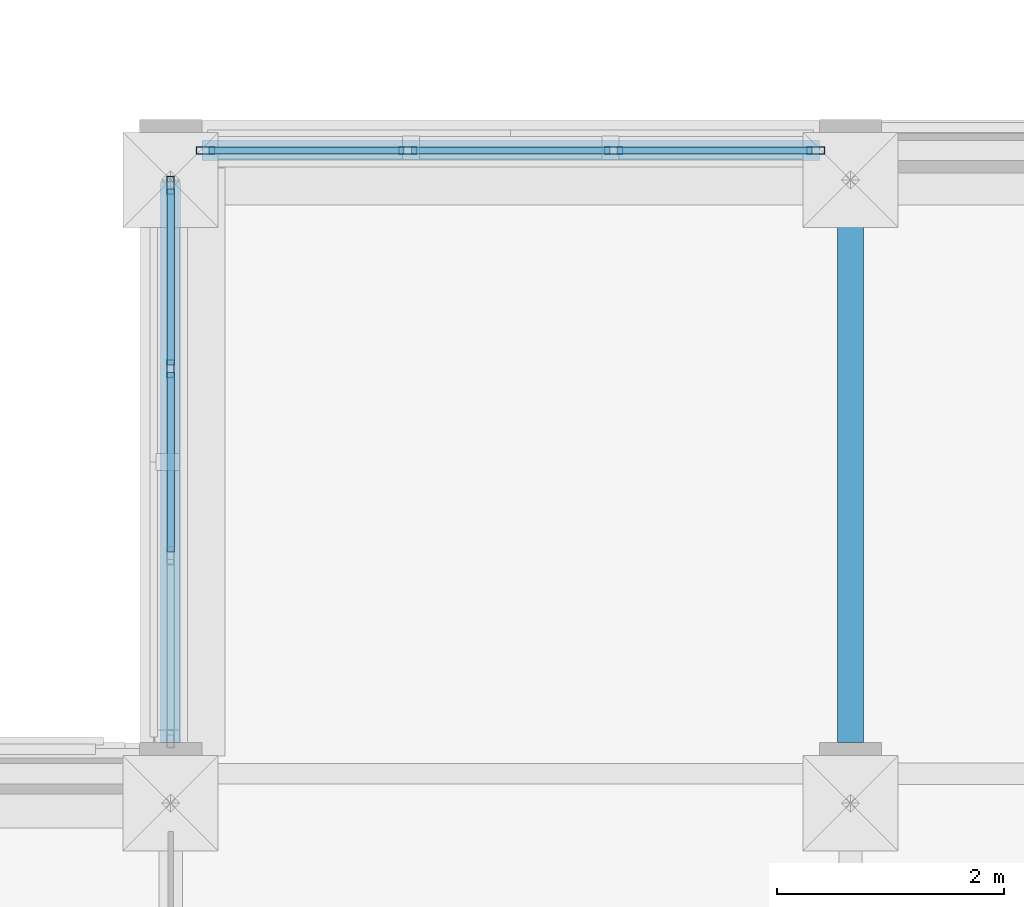
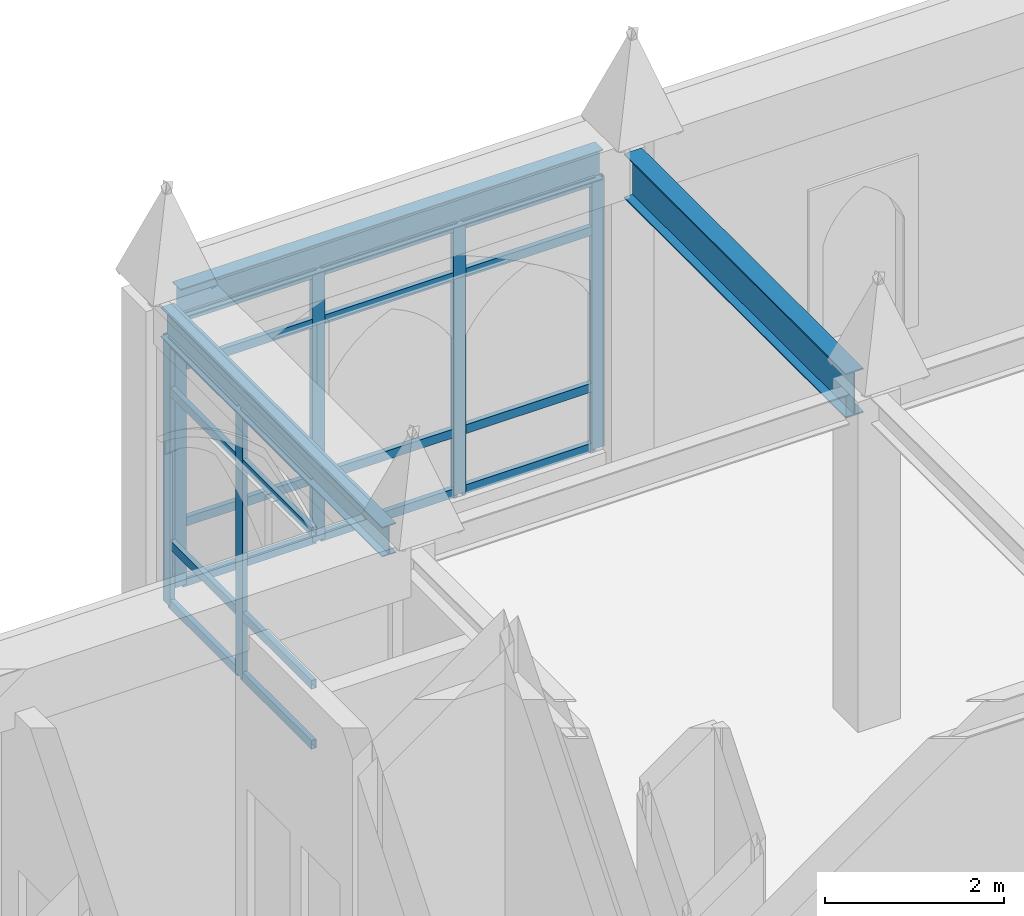
# One storey, part 51 of 108: 26 members, 3 beams, 2 elements without a shape of their own.
"""IFC4 building model written with IfcOpenShell, lengths in metres."""

from ifc_helpers import new_model, si_unit, direction, frame, origin, origin_2d, place, context, subcontext, project, spatial, hollow_rectangle, i_section, extrude, material, layer, layer_set, material_profile, profile_set, type_object, element, aggregate, save


model = new_model("IFC4")

# Units and contexts
model_context = context("Model", 3, precision=1e-05, world=origin(), true_north=direction((0.0, 1.0)))
body_context = subcontext(model_context, "Body", "Model", "MODEL_VIEW")
ifc_project = project(units=[si_unit("LENGTHUNIT", "METRE"), si_unit("AREAUNIT", "SQUARE_METRE"), si_unit("VOLUMEUNIT", "CUBIC_METRE"), si_unit("PLANEANGLEUNIT", "RADIAN"), si_unit("MASSUNIT", "GRAM", prefix="KILO")], contexts=[model_context])

# Site, building, storey
site_placement = place(None, origin())
site = spatial("IfcSite", under=ifc_project, at=site_placement, CompositionType="ELEMENT")
building_placement = place(site_placement, origin())
building = spatial("IfcBuilding", under=site, at=building_placement, Name="Cumevento Cable Car Station", CompositionType="ELEMENT")
storey_placement = place(building_placement, frame((0.0, 0.0, 13.5)))
storey = spatial("IfcBuildingStorey", under=building, at=storey_placement, Name="L04", CompositionType="ELEMENT", Elevation=13.5)

# Curtain wall, members
ifc_material_1 = material(Name="Anodised Bronze Aluminium AW-6063-T6", Category="aluminium")
ifc_layer_1 = layer(ifc_material_1, 0.238037109375)
ifc_layer_set_1 = layer_set([ifc_layer_1], Name="Anodised Bronze Aluminium AW-6063-T6")
curtain_wall_type_1 = type_object("IfcCurtainWallType", Name="Lancet Curtain Wall CW-14 1570", PredefinedType="NOTDEFINED", material=ifc_layer_set_1)
curtain_wall_1_placement = place(storey_placement, origin())
curtain_wall_1 = element("IfcCurtainWall", 1, at=curtain_wall_1_placement, inside=storey, type_object=curtain_wall_type_1, Name="Lancet Curtain Wall CW-14 L04 #189", PredefinedType="NOTDEFINED")
ifc_material_2 = material(Name="Anodised Bronze Aluminium AW-6063-T6", Category="aluminium")
ifc_material_profile_1 = material_profile(ifc_material_2, hollow_rectangle(XDim=0.06494140625, YDim=0.159912109375, WallThickness=0.00390625, at=origin_2d()), Name="ALUM65x160x4")
ifc_profile_set_1 = profile_set([ifc_material_profile_1], Name="Anodised Bronze Aluminium AW-6063-T6")
member_type_1 = type_object("IfcMemberType", Name="Curtain Mullion CWM-01 ALUM65x160x4", PredefinedType="MULLION", material=ifc_profile_set_1)
member_1_placement = place(storey_placement, frame((130.3076171875, 56.5, 0.409912109375), z_axis=(0.0, 0.0, 1.0), x_axis=(0.0, 1.0, 0.0)))
member_1 = element("IfcMember", 2, at=member_1_placement, type_object=member_type_1, Name="CW-14 mullion 1", PredefinedType="MULLION", context=body_context, shape_type="SweptSolid", body=[
    extrude(hollow_rectangle(XDim=0.06494140625, YDim=0.159912109375, WallThickness=0.00390625, at=origin_2d()), origin(), (0.0, 0.0, 1.0), 3.68310546875),
])
member_2_placement = place(storey_placement, frame((132.091552734375, 56.5, 0.409912109375), z_axis=(0.0, 0.0, 1.0), x_axis=(0.0, 1.0, 0.0)))
member_2 = element("IfcMember", 3, at=member_2_placement, type_object=member_type_1, Name="CW-14 mullion 2", PredefinedType="MULLION", context=body_context, shape_type="SweptSolid", body=[
    extrude(hollow_rectangle(XDim=0.06494140625, YDim=0.159912109375, WallThickness=0.00390625, at=origin_2d()), origin(), (0.0, 0.0, 1.0), 3.68310546875),
])
member_3_placement = place(storey_placement, frame((133.908447265625, 56.5, 0.409912109375), z_axis=(0.0, 0.0, 1.0), x_axis=(0.0, 1.0, 0.0)))
member_3 = element("IfcMember", 4, at=member_3_placement, type_object=member_type_1, Name="CW-14 mullion 3", PredefinedType="MULLION", context=body_context, shape_type="SweptSolid", body=[
    extrude(hollow_rectangle(XDim=0.06494140625, YDim=0.159912109375, WallThickness=0.00390625, at=origin_2d()), origin(), (0.0, 0.0, 1.0), 3.68310546875),
])
member_4_placement = place(storey_placement, frame((135.6923828125, 56.5, 0.409912109375), z_axis=(0.0, 0.0, 1.0), x_axis=(0.0, 1.0, 0.0)))
member_4 = element("IfcMember", 5, at=member_4_placement, type_object=member_type_1, Name="CW-14 mullion 4", PredefinedType="MULLION", context=body_context, shape_type="SweptSolid", body=[
    extrude(hollow_rectangle(XDim=0.06494140625, YDim=0.159912109375, WallThickness=0.00390625, at=origin_2d()), origin(), (0.0, 0.0, 1.0), 3.68310546875),
])

ifc_material_3 = material(Name="Anodised Bronze Aluminium AW-6063-T6", Category="aluminium")
ifc_layer_2 = layer(ifc_material_3, 0.243896484375)
ifc_layer_set_2 = layer_set([ifc_layer_2], Name="Anodised Bronze Aluminium AW-6063-T6")
curtain_wall_type_2 = type_object("IfcCurtainWallType", Name="Lancet Curtain Wall CW-15 1610", PredefinedType="NOTDEFINED", material=ifc_layer_set_2)
curtain_wall_2_placement = place(storey_placement, origin())
curtain_wall_2 = element("IfcCurtainWall", 6, at=curtain_wall_2_placement, inside=storey, type_object=curtain_wall_type_2, Name="Lancet Curtain Wall CW-15 L04 #190", PredefinedType="NOTDEFINED")
member_5_placement = place(storey_placement, frame((130.0, 54.574951171875, 0.4599609375), z_axis=(0.0, 0.0, 1.0), x_axis=(-1.0, 0.0, 0.0)))
member_5 = element("IfcMember", 7, at=member_5_placement, type_object=member_type_1, Name="CW-15 mullion 3", PredefinedType="MULLION", context=body_context, shape_type="SweptSolid", body=[
    extrude(hollow_rectangle(XDim=0.06494140625, YDim=0.159912109375, WallThickness=0.00390625, at=origin_2d()), origin(), (0.0, 0.0, 1.0), 3.633056640625),
])
member_6_placement = place(storey_placement, frame((130.0, 56.1923828125, 0.4599609375), z_axis=(0.0, 0.0, 1.0), x_axis=(-1.0, 0.0, 0.0)))
member_6 = element("IfcMember", 8, at=member_6_placement, type_object=member_type_1, Name="CW-15 mullion 4", PredefinedType="MULLION", context=body_context, shape_type="SweptSolid", body=[
    extrude(hollow_rectangle(XDim=0.06494140625, YDim=0.159912109375, WallThickness=0.00390625, at=origin_2d()), origin(), (0.0, 0.0, 1.0), 3.633056640625),
])

# Member
ifc_material_4 = material(Name="Anodised Bronze Aluminium AW-6063-T6", Category="aluminium")
ifc_material_profile_2 = material_profile(ifc_material_4, hollow_rectangle(XDim=0.06494140625, YDim=0.1201171875, WallThickness=0.00390625, at=origin_2d()), Name="ALUT65x120x4")
ifc_profile_set_2 = profile_set([ifc_material_profile_2], Name="Anodised Bronze Aluminium AW-6063-T6")
member_type_2 = type_object("IfcMemberType", Name="Curtain Transom CWT-01 ALUT65x120x4", PredefinedType="USERDEFINED", material=ifc_profile_set_2)
member_7_placement = place(storey_placement, frame((130.340087890625, 56.5, 0.4423828125), z_axis=(1.0, 0.0, 0.0), x_axis=(0.0, 1.0, 0.0)))
member_7 = element("IfcMember", 9, at=member_7_placement, type_object=member_type_2, Name="CW-14 transom 1.1", ObjectType="TRANSOM", PredefinedType="USERDEFINED", context=body_context, shape_type="SweptSolid", body=[
    extrude(hollow_rectangle(XDim=0.06494140625, YDim=0.1201171875, WallThickness=0.00390625, at=origin_2d()), origin(), (0.0, 0.0, 1.0), 1.718994140625),
])

member_8_placement = place(storey_placement, frame((130.340087890625, 56.5, 1.260009765625), z_axis=(1.0, 0.0, 0.0), x_axis=(0.0, 1.0, 0.0)))
member_8 = element("IfcMember", 10, at=member_8_placement, type_object=member_type_2, Name="CW-14 transom 1.2", ObjectType="TRANSOM", PredefinedType="USERDEFINED", context=body_context, shape_type="SweptSolid", body=[
    extrude(hollow_rectangle(XDim=0.06494140625, YDim=0.1201171875, WallThickness=0.00390625, at=origin_2d()), origin(), (0.0, 0.0, 1.0), 1.718994140625),
])

member_9_placement = place(storey_placement, frame((130.340087890625, 56.5, 3.39306640625), z_axis=(1.0, 0.0, 0.0), x_axis=(0.0, 1.0, 0.0)))
member_9 = element("IfcMember", 11, at=member_9_placement, type_object=member_type_2, Name="CW-14 transom 1.3", ObjectType="TRANSOM", PredefinedType="USERDEFINED", context=body_context, shape_type="SweptSolid", body=[
    extrude(hollow_rectangle(XDim=0.06494140625, YDim=0.1201171875, WallThickness=0.00390625, at=origin_2d()), origin(), (0.0, 0.0, 1.0), 1.718994140625),
])

member_10_placement = place(storey_placement, frame((130.340087890625, 56.5, 4.060546875), z_axis=(1.0, 0.0, 0.0), x_axis=(0.0, 1.0, 0.0)))
member_10 = element("IfcMember", 12, at=member_10_placement, type_object=member_type_2, Name="CW-14 transom 1.4", ObjectType="TRANSOM", PredefinedType="USERDEFINED", context=body_context, shape_type="SweptSolid", body=[
    extrude(hollow_rectangle(XDim=0.06494140625, YDim=0.1201171875, WallThickness=0.00390625, at=origin_2d()), origin(), (0.0, 0.0, 1.0), 1.718994140625),
])

member_11_placement = place(storey_placement, frame((132.124267578125, 56.5, 0.4423828125), z_axis=(1.0, 0.0, 0.0), x_axis=(0.0, 1.0, 0.0)))
member_11 = element("IfcMember", 13, at=member_11_placement, type_object=member_type_2, Name="CW-14 transom 2.1", ObjectType="TRANSOM", PredefinedType="USERDEFINED", context=body_context, shape_type="SweptSolid", body=[
    extrude(hollow_rectangle(XDim=0.06494140625, YDim=0.1201171875, WallThickness=0.00390625, at=origin_2d()), origin(), (0.0, 0.0, 1.0), 1.75146484375),
])

member_12_placement = place(storey_placement, frame((132.124267578125, 56.5, 1.260009765625), z_axis=(1.0, 0.0, 0.0), x_axis=(0.0, 1.0, 0.0)))
member_12 = element("IfcMember", 14, at=member_12_placement, type_object=member_type_2, Name="CW-14 transom 2.2", ObjectType="TRANSOM", PredefinedType="USERDEFINED", context=body_context, shape_type="SweptSolid", body=[
    extrude(hollow_rectangle(XDim=0.06494140625, YDim=0.1201171875, WallThickness=0.00390625, at=origin_2d()), origin(), (0.0, 0.0, 1.0), 1.75146484375),
])

member_13_placement = place(storey_placement, frame((132.124267578125, 56.5, 3.39306640625), z_axis=(1.0, 0.0, 0.0), x_axis=(0.0, 1.0, 0.0)))
member_13 = element("IfcMember", 15, at=member_13_placement, type_object=member_type_2, Name="CW-14 transom 2.3", ObjectType="TRANSOM", PredefinedType="USERDEFINED", context=body_context, shape_type="SweptSolid", body=[
    extrude(hollow_rectangle(XDim=0.06494140625, YDim=0.1201171875, WallThickness=0.00390625, at=origin_2d()), origin(), (0.0, 0.0, 1.0), 1.75146484375),
])

member_14_placement = place(storey_placement, frame((132.124267578125, 56.5, 4.060546875), z_axis=(1.0, 0.0, 0.0), x_axis=(0.0, 1.0, 0.0)))
member_14 = element("IfcMember", 16, at=member_14_placement, type_object=member_type_2, Name="CW-14 transom 2.4", ObjectType="TRANSOM", PredefinedType="USERDEFINED", context=body_context, shape_type="SweptSolid", body=[
    extrude(hollow_rectangle(XDim=0.06494140625, YDim=0.1201171875, WallThickness=0.00390625, at=origin_2d()), origin(), (0.0, 0.0, 1.0), 1.75146484375),
])

member_15_placement = place(storey_placement, frame((133.94091796875, 56.5, 0.4423828125), z_axis=(1.0, 0.0, 0.0), x_axis=(0.0, 1.0, 0.0)))
member_15 = element("IfcMember", 17, at=member_15_placement, type_object=member_type_2, Name="CW-14 transom 3.1", ObjectType="TRANSOM", PredefinedType="USERDEFINED", context=body_context, shape_type="SweptSolid", body=[
    extrude(hollow_rectangle(XDim=0.06494140625, YDim=0.1201171875, WallThickness=0.00390625, at=origin_2d()), origin(), (0.0, 0.0, 1.0), 1.718994140625),
])

member_16_placement = place(storey_placement, frame((133.94091796875, 56.5, 1.260009765625), z_axis=(1.0, 0.0, 0.0), x_axis=(0.0, 1.0, 0.0)))
member_16 = element("IfcMember", 18, at=member_16_placement, type_object=member_type_2, Name="CW-14 transom 3.2", ObjectType="TRANSOM", PredefinedType="USERDEFINED", context=body_context, shape_type="SweptSolid", body=[
    extrude(hollow_rectangle(XDim=0.06494140625, YDim=0.1201171875, WallThickness=0.00390625, at=origin_2d()), origin(), (0.0, 0.0, 1.0), 1.718994140625),
])

member_17_placement = place(storey_placement, frame((133.94091796875, 56.5, 3.39306640625), z_axis=(1.0, 0.0, 0.0), x_axis=(0.0, 1.0, 0.0)))
member_17 = element("IfcMember", 19, at=member_17_placement, type_object=member_type_2, Name="CW-14 transom 3.3", ObjectType="TRANSOM", PredefinedType="USERDEFINED", context=body_context, shape_type="SweptSolid", body=[
    extrude(hollow_rectangle(XDim=0.06494140625, YDim=0.1201171875, WallThickness=0.00390625, at=origin_2d()), origin(), (0.0, 0.0, 1.0), 1.718994140625),
])

member_18_placement = place(storey_placement, frame((133.94091796875, 56.5, 4.060546875), z_axis=(1.0, 0.0, 0.0), x_axis=(0.0, 1.0, 0.0)))
member_18 = element("IfcMember", 20, at=member_18_placement, type_object=member_type_2, Name="CW-14 transom 3.4", ObjectType="TRANSOM", PredefinedType="USERDEFINED", context=body_context, shape_type="SweptSolid", body=[
    extrude(hollow_rectangle(XDim=0.06494140625, YDim=0.1201171875, WallThickness=0.00390625, at=origin_2d()), origin(), (0.0, 0.0, 1.0), 1.718994140625),
])

aggregate(curtain_wall_1, [member_1, member_2, member_3, member_4, member_7, member_8, member_9, member_10, member_11, member_12, member_13, member_14, member_15, member_16, member_17, member_18])

member_19_placement = place(storey_placement, frame((130.0, 52.95751953125, 0.492431640625), z_axis=(0.0, 1.0, 0.0), x_axis=(-1.0, 0.0, 0.0)))
member_19 = element("IfcMember", 21, at=member_19_placement, type_object=member_type_2, Name="CW-15 transom 2.1", ObjectType="TRANSOM", PredefinedType="USERDEFINED", context=body_context, shape_type="SweptSolid", body=[
    extrude(hollow_rectangle(XDim=0.06494140625, YDim=0.1201171875, WallThickness=0.00390625, at=origin_2d()), origin(), (0.0, 0.0, 1.0), 1.5849609375),
])

member_20_placement = place(storey_placement, frame((130.0, 52.95751953125, 1.31005859375), z_axis=(0.0, 1.0, 0.0), x_axis=(-1.0, 0.0, 0.0)))
member_20 = element("IfcMember", 22, at=member_20_placement, type_object=member_type_2, Name="CW-15 transom 2.2", ObjectType="TRANSOM", PredefinedType="USERDEFINED", context=body_context, shape_type="SweptSolid", body=[
    extrude(hollow_rectangle(XDim=0.06494140625, YDim=0.1201171875, WallThickness=0.00390625, at=origin_2d()), origin(), (0.0, 0.0, 1.0), 1.5849609375),
])

member_21_placement = place(storey_placement, frame((130.0, 52.95751953125, 3.39306640625), z_axis=(0.0, 1.0, 0.0), x_axis=(-1.0, 0.0, 0.0)))
member_21 = element("IfcMember", 23, at=member_21_placement, type_object=member_type_2, Name="CW-15 transom 2.3", ObjectType="TRANSOM", PredefinedType="USERDEFINED", context=body_context, shape_type="SweptSolid", body=[
    extrude(hollow_rectangle(XDim=0.06494140625, YDim=0.1201171875, WallThickness=0.00390625, at=origin_2d()), origin(), (0.0, 0.0, 1.0), 1.5849609375),
])

member_22_placement = place(storey_placement, frame((130.0, 52.95751953125, 4.060546875), z_axis=(0.0, 1.0, 0.0), x_axis=(-1.0, 0.0, 0.0)))
member_22 = element("IfcMember", 24, at=member_22_placement, type_object=member_type_2, Name="CW-15 transom 2.4", ObjectType="TRANSOM", PredefinedType="USERDEFINED", context=body_context, shape_type="SweptSolid", body=[
    extrude(hollow_rectangle(XDim=0.06494140625, YDim=0.1201171875, WallThickness=0.00390625, at=origin_2d()), origin(), (0.0, 0.0, 1.0), 1.5849609375),
])

member_23_placement = place(storey_placement, frame((130.0, 54.607421875, 0.492431640625), z_axis=(0.0, 1.0, 0.0), x_axis=(-1.0, 0.0, 0.0)))
member_23 = element("IfcMember", 25, at=member_23_placement, type_object=member_type_2, Name="CW-15 transom 3.1", ObjectType="TRANSOM", PredefinedType="USERDEFINED", context=body_context, shape_type="SweptSolid", body=[
    extrude(hollow_rectangle(XDim=0.06494140625, YDim=0.1201171875, WallThickness=0.00390625, at=origin_2d()), origin(), (0.0, 0.0, 1.0), 1.552490234375),
])

member_24_placement = place(storey_placement, frame((130.0, 54.607421875, 1.31005859375), z_axis=(0.0, 1.0, 0.0), x_axis=(-1.0, 0.0, 0.0)))
member_24 = element("IfcMember", 26, at=member_24_placement, type_object=member_type_2, Name="CW-15 transom 3.2", ObjectType="TRANSOM", PredefinedType="USERDEFINED", context=body_context, shape_type="SweptSolid", body=[
    extrude(hollow_rectangle(XDim=0.06494140625, YDim=0.1201171875, WallThickness=0.00390625, at=origin_2d()), origin(), (0.0, 0.0, 1.0), 1.552490234375),
])

member_25_placement = place(storey_placement, frame((130.0, 54.607421875, 3.39306640625), z_axis=(0.0, 1.0, 0.0), x_axis=(-1.0, 0.0, 0.0)))
member_25 = element("IfcMember", 27, at=member_25_placement, type_object=member_type_2, Name="CW-15 transom 3.3", ObjectType="TRANSOM", PredefinedType="USERDEFINED", context=body_context, shape_type="SweptSolid", body=[
    extrude(hollow_rectangle(XDim=0.06494140625, YDim=0.1201171875, WallThickness=0.00390625, at=origin_2d()), origin(), (0.0, 0.0, 1.0), 1.552490234375),
])

member_26_placement = place(storey_placement, frame((130.0, 54.607421875, 4.060546875), z_axis=(0.0, 1.0, 0.0), x_axis=(-1.0, 0.0, 0.0)))
member_26 = element("IfcMember", 28, at=member_26_placement, type_object=member_type_2, Name="CW-15 transom 3.4", ObjectType="TRANSOM", PredefinedType="USERDEFINED", context=body_context, shape_type="SweptSolid", body=[
    extrude(hollow_rectangle(XDim=0.06494140625, YDim=0.1201171875, WallThickness=0.00390625, at=origin_2d()), origin(), (0.0, 0.0, 1.0), 1.552490234375),
])

aggregate(curtain_wall_2, [member_5, member_6, member_19, member_20, member_21, member_22, member_23, member_24, member_25, member_26])

# Beams
ifc_material_5 = material(Name="Steel ASTM A572 Grade 50", Category="steel")
ifc_material_profile_3 = material_profile(ifc_material_5, i_section(OverallWidth=0.22802734375, OverallDepth=0.60791015625, WebThickness=0.01123046875, FlangeThickness=0.017333984375, at=origin_2d()), Name="W610x113.0")
ifc_profile_set_3 = profile_set([ifc_material_profile_3], Name="Steel ASTM A572 Grade 50")
beam_type_1 = type_object("IfcBeamType", Name="Structural Beam BM-02 W610x113.0", PredefinedType="BEAM", material=ifc_profile_set_3)
beam_1_placement = place(storey_placement, frame((136.0, 51.27490234375, 4.196044921875), z_axis=(0.0, 1.0, 0.0), x_axis=(-1.0, 0.0, 0.0)))
element("IfcBeam", 29, at=beam_1_placement, inside=storey, type_object=beam_type_1, Name="Beam BM-02 L04 #1492", PredefinedType="BEAM", context=body_context, shape_type="SweptSolid", body=[
    extrude(i_section(OverallWidth=0.22802734375, OverallDepth=0.60791015625, WebThickness=0.01123046875, FlangeThickness=0.017333984375, at=origin_2d()), origin(), (0.0, 0.0, 1.0), 4.9501953125),
])
ifc_material_6 = material(Name="Steel ASTM A572 Grade 50", Category="steel")
ifc_material_profile_4 = material_profile(ifc_material_6, i_section(OverallWidth=0.177978515625, OverallDepth=0.406982421875, WebThickness=0.0078125, FlangeThickness=0.0126953125, at=origin_2d()), Name="W410x60.0")
ifc_profile_set_4 = profile_set([ifc_material_profile_4], Name="Steel ASTM A572 Grade 50")
beam_type_2 = type_object("IfcBeamType", Name="Structural Spandrel SP-01 W410x60.0", PredefinedType="SPANDREL", material=ifc_profile_set_4)
beam_2_placement = place(storey_placement, frame((130.27490234375, 56.5, 4.29638671875), z_axis=(1.0, 0.0, 0.0), x_axis=(0.0, 1.0, 0.0)))
element("IfcBeam", 30, at=beam_2_placement, inside=storey, type_object=beam_type_2, Name="Beam SP-01 L04 #1488", PredefinedType="SPANDREL", context=body_context, shape_type="SweptSolid", body=[
    extrude(i_section(OverallWidth=0.177978515625, OverallDepth=0.406982421875, WebThickness=0.0078125, FlangeThickness=0.0126953125, at=origin_2d()), origin(), (0.0, 0.0, 1.0), 5.4501953125),
])
beam_3_placement = place(storey_placement, frame((130.0, 51.27490234375, 4.29638671875), z_axis=(0.0, 1.0, 0.0), x_axis=(-1.0, 0.0, 0.0)))
element("IfcBeam", 31, at=beam_3_placement, inside=storey, type_object=beam_type_2, Name="Beam SP-01 L04 #1490", PredefinedType="SPANDREL", context=body_context, shape_type="SweptSolid", body=[
    extrude(i_section(OverallWidth=0.177978515625, OverallDepth=0.406982421875, WebThickness=0.0078125, FlangeThickness=0.0126953125, at=origin_2d()), origin(), (0.0, 0.0, 1.0), 4.9501953125),
])

save(model, "model.ifc")
